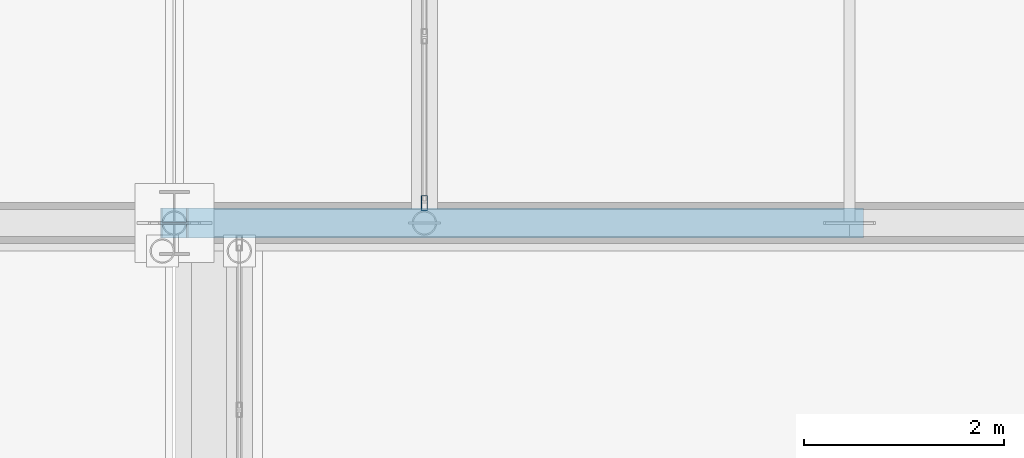
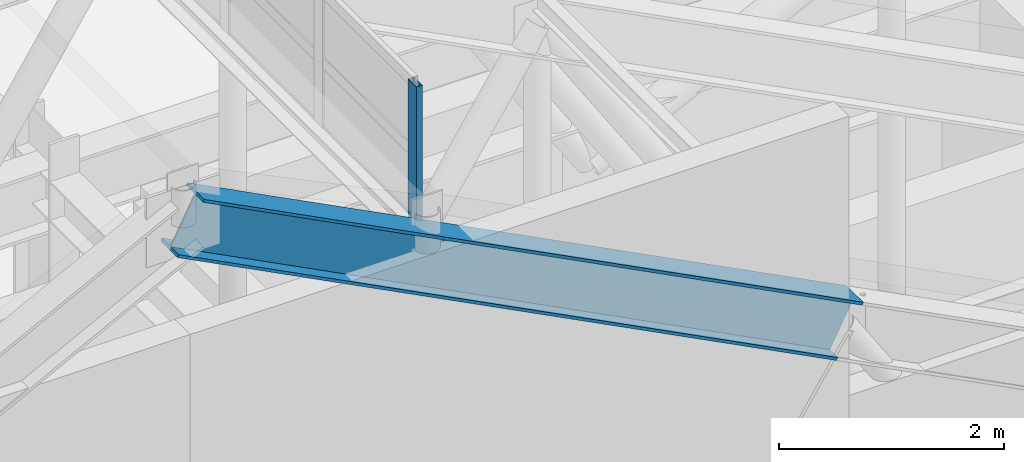
# One storey, part 29 of 84: 2 members, 1 element without a shape of its own.
"""IFC4 building model written with IfcOpenShell, lengths in metres."""

from ifc_helpers import new_model, si_unit, direction, frame, origin, origin_2d, place, context, subcontext, project, spatial, hollow_rectangle, i_section, extrude, material, layer, layer_set, material_profile, profile_set, type_object, element, aggregate, save


model = new_model("IFC4")

# Units and contexts
model_context = context("Model", 3, precision=1e-05, world=origin(), true_north=direction((0.0, 1.0)))
body_context = subcontext(model_context, "Body", "Model", "MODEL_VIEW")
ifc_project = project(units=[si_unit("LENGTHUNIT", "METRE"), si_unit("AREAUNIT", "SQUARE_METRE"), si_unit("VOLUMEUNIT", "CUBIC_METRE"), si_unit("PLANEANGLEUNIT", "RADIAN"), si_unit("MASSUNIT", "GRAM", prefix="KILO")], contexts=[model_context])

# Site, building, storey
site_placement = place(None, origin())
site = spatial("IfcSite", under=ifc_project, at=site_placement, CompositionType="ELEMENT")
building_placement = place(site_placement, origin())
building = spatial("IfcBuilding", under=site, at=building_placement, Name="Sundgate Opera House", CompositionType="ELEMENT")
storey_placement = place(building_placement, frame((0.0, 0.0, 30.60009765625)))
storey = spatial("IfcBuildingStorey", under=building, at=storey_placement, Name="L06", CompositionType="ELEMENT", Elevation=30.60009765625)

# Curtain wall, member
ifc_material_1 = material(Name="Anodized aluminium and low-iron glass", Category="aluminium")
ifc_layer = layer(ifc_material_1, 0.169921875)
ifc_layer_set = layer_set([ifc_layer], Name="Anodized aluminium and low-iron glass")
curtain_wall_type = type_object("IfcCurtainWallType", Name="CW-LANTERN-POLY", PredefinedType="NOTDEFINED", material=ifc_layer_set)
curtain_wall_placement = place(storey_placement, origin())
curtain_wall = element("IfcCurtainWall", 1, at=curtain_wall_placement, inside=storey, type_object=curtain_wall_type, Name="L06 Curtain Wall CW180", PredefinedType="NOTDEFINED")
ifc_material_2 = material(Name="Anodized aluminium EN AW-6063", Category="aluminium")
ifc_material_profile_1 = material_profile(ifc_material_2, hollow_rectangle(XDim=0.06005859375, YDim=0.14990234375, WallThickness=0.00390625, at=origin_2d()), Name="CWM 150x60x4")
ifc_profile_set_1 = profile_set([ifc_material_profile_1], Name="Anodized aluminium EN AW-6063")
member_type_1 = type_object("IfcMemberType", Name="CWM-ALU-150x60", PredefinedType="MULLION", material=ifc_profile_set_1)
member_1_placement = place(storey_placement, frame((56.5, 60.199951171875, 16.199951171875), z_axis=(0.0, 0.0, 1.0), x_axis=(1.0, 0.0, 0.0)))
member_1 = element("IfcMember", 2, at=member_1_placement, type_object=member_type_1, Name="CW180 Mullion 1", PredefinedType="MULLION", context=body_context, shape_type="SweptSolid", body=[
    extrude(hollow_rectangle(XDim=0.06005859375, YDim=0.14990234375, WallThickness=0.00390625, at=origin_2d()), origin(), (0.0, 0.0, 1.0), 1.5),
])
aggregate(curtain_wall, [member_1])

# Member
ifc_material_3 = material(Name="Steel S355J2", Category="steel")
ifc_material_profile_2 = material_profile(ifc_material_3, i_section(OverallWidth=0.300048828125, OverallDepth=0.60009765625, WebThickness=0.015380859375, FlangeThickness=0.030029296875, at=origin_2d()), Name="HEB 600")
ifc_profile_set_2 = profile_set([ifc_material_profile_2], Name="Steel S355J2")
member_type_2 = type_object("IfcMemberType", Name="MB-CHORD-HEB600", PredefinedType="CHORD", material=ifc_profile_set_2)
member_2_placement = place(storey_placement, frame((54.0, 60.0, 17.199951171875), z_axis=(0.888960276237, 0.0, -0.457984308981), x_axis=(0.0, 1.0, 0.0)))
element("IfcMember", 3, at=member_2_placement, inside=storey, type_object=member_type_2, Name="L06 Fly-Tower Truss Top Chord M0127", PredefinedType="CHORD", context=body_context, shape_type="SweptSolid", body=[
    extrude(i_section(OverallWidth=0.300048828125, OverallDepth=0.60009765625, WebThickness=0.015380859375, FlangeThickness=0.030029296875, at=origin_2d()), origin(), (0.0, 0.0, 1.0), 7.59326171875),
])

save(model, "model.ifc")
